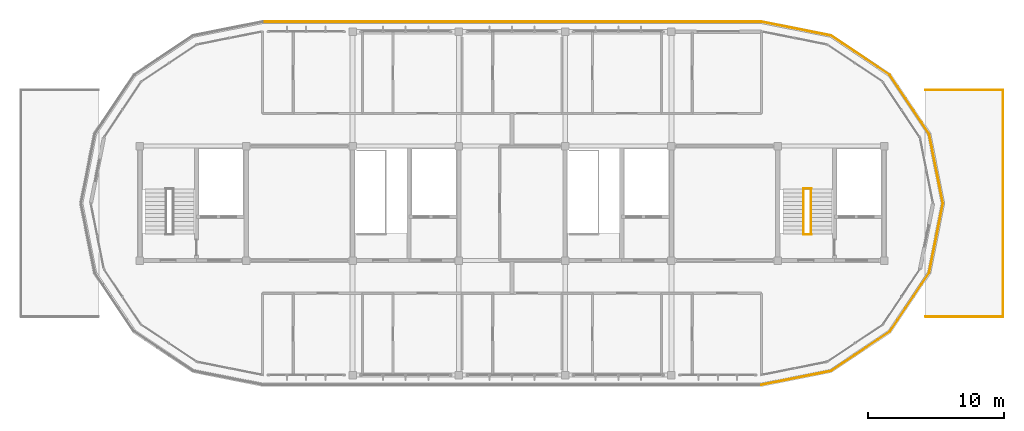
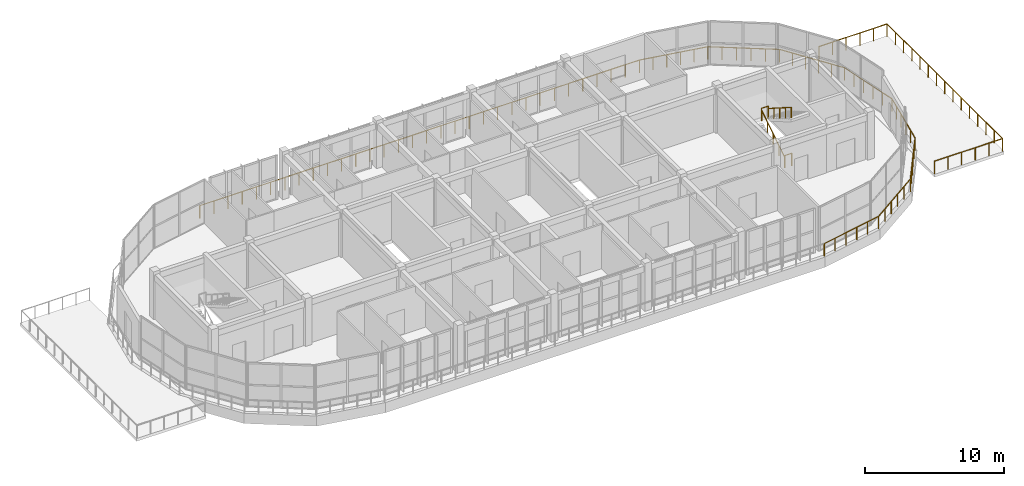
# One storey, part 33 of 33: 16 railings.
"""IFC4 building model written with IfcOpenShell, lengths in metres."""

from ifc_helpers import new_model, si_unit, direction, frame, origin, origin_2d, place, context, subcontext, project, spatial, circle, hollow_circle, extrude, material, material_profile, profile_set, type_object, element, save


model = new_model("IFC4")

# Units and contexts
model_context = context("Model", 3, precision=1e-05, world=origin(), true_north=direction((0.0, 1.0)))
body_context = subcontext(model_context, "Body", "Model", "MODEL_VIEW")
ifc_project = project(units=[si_unit("LENGTHUNIT", "METRE"), si_unit("AREAUNIT", "SQUARE_METRE"), si_unit("VOLUMEUNIT", "CUBIC_METRE"), si_unit("PLANEANGLEUNIT", "RADIAN"), si_unit("MASSUNIT", "GRAM", prefix="KILO")], contexts=[model_context])

# Site, building, storey
site_placement = place(None, origin())
site = spatial("IfcSite", under=ifc_project, at=site_placement, CompositionType="ELEMENT")
building_placement = place(site_placement, origin())
building = spatial("IfcBuilding", under=site, at=building_placement, Name="Zizhar Promenade General Hospital", CompositionType="ELEMENT")
storey_placement = place(building_placement, frame((0.0, 0.0, 39.0)))
storey = spatial("IfcBuildingStorey", under=building, at=storey_placement, Name="L09", CompositionType="ELEMENT", Elevation=39.0)

# Railings
ifc_material_1 = material(Name="Anodised aluminium 6063-T6", Category="aluminium")
ifc_material_profile_1 = material_profile(ifc_material_1, hollow_circle(Radius=0.06982421875, WallThickness=0.00634765625, at=origin_2d()))
ifc_profile_set_1 = profile_set([ifc_material_profile_1], Name="Anodised aluminium 6063-T6")
railing_type_1 = type_object("IfcRailingType", Name="RL-GUARD-TERR-1100", PredefinedType="GUARDRAIL", material=ifc_profile_set_1)
railing_1_placement = place(storey_placement, frame((92.39990234375, -0.719970703125, 0.0)))
element("IfcRailing", 1, at=railing_1_placement, inside=storey, type_object=railing_type_1, Name="Perimeter Safety Guardrail L09-01", PredefinedType="GUARDRAIL", context=body_context, shape_type="SweptSolid", body=[
    extrude(circle(Radius=0.02392578125, at=origin_2d()), frame((0.0, 0.0, 1.09619140625), z_axis=(0.980786101187, 0.195086195614, 0.0), x_axis=(-0.195086195614, 0.980786101187, 0.0)), (0.0, 0.0, 1.0), 5.197265625),
    extrude(circle(Radius=0.02099609375, at=origin_2d()), origin(), (0.0, 0.0, 1.0), 1.072021484375),
    extrude(circle(Radius=0.02099609375, at=origin_2d()), frame((1.01953125, 0.202880859375, 0.0)), (0.0, 0.0, 1.0), 1.072021484375),
    extrude(circle(Radius=0.02099609375, at=origin_2d()), frame((2.0390625, 0.405517578125, 0.0)), (0.0, 0.0, 1.0), 1.072021484375),
    extrude(circle(Radius=0.02099609375, at=origin_2d()), frame((3.058349609375, 0.6083984375, 0.0)), (0.0, 0.0, 1.0), 1.072021484375),
    extrude(circle(Radius=0.02099609375, at=origin_2d()), frame((4.077880859375, 0.81103515625, 0.0)), (0.0, 0.0, 1.0), 1.072021484375),
    extrude(circle(Radius=0.02099609375, at=origin_2d()), frame((5.097412109375, 1.013916015625, 0.0)), (0.0, 0.0, 1.0), 1.072021484375),
])
railing_2_placement = place(storey_placement, frame((97.497314453125, 0.2939453125, 0.0)))
element("IfcRailing", 2, at=railing_2_placement, inside=storey, type_object=railing_type_1, Name="Perimeter Safety Guardrail L09-02", PredefinedType="GUARDRAIL", context=body_context, shape_type="SweptSolid", body=[
    extrude(circle(Radius=0.02392578125, at=origin_2d()), frame((0.0, 0.0, 1.09619140625), z_axis=(0.831464445352, 0.555577965829, 0.0), x_axis=(-0.555577965829, 0.831464445352, 0.0)), (0.0, 0.0, 1.0), 5.197265625),
    extrude(circle(Radius=0.02099609375, at=origin_2d()), origin(), (0.0, 0.0, 1.0), 1.072021484375),
    extrude(circle(Radius=0.02099609375, at=origin_2d()), frame((0.8642578125, 0.577392578125, 0.0)), (0.0, 0.0, 1.0), 1.072021484375),
    extrude(circle(Radius=0.02099609375, at=origin_2d()), frame((1.728515625, 1.155029296875, 0.0)), (0.0, 0.0, 1.0), 1.072021484375),
    extrude(circle(Radius=0.02099609375, at=origin_2d()), frame((2.5927734375, 1.732421875, 0.0)), (0.0, 0.0, 1.0), 1.072021484375),
    extrude(circle(Radius=0.02099609375, at=origin_2d()), frame((3.45703125, 2.31005859375, 0.0)), (0.0, 0.0, 1.0), 1.072021484375),
    extrude(circle(Radius=0.02099609375, at=origin_2d()), frame((4.3212890625, 2.887451171875, 0.0)), (0.0, 0.0, 1.0), 1.072021484375),
])
railing_3_placement = place(storey_placement, frame((101.818603515625, 3.181396484375, 0.0)))
element("IfcRailing", 3, at=railing_3_placement, inside=storey, type_object=railing_type_1, Name="Perimeter Safety Guardrail L09-03", PredefinedType="GUARDRAIL", context=body_context, shape_type="SweptSolid", body=[
    extrude(circle(Radius=0.02392578125, at=origin_2d()), frame((0.0, 0.0, 1.09619140625), z_axis=(0.555577965829, 0.831464445352, 0.0), x_axis=(-0.831464445352, 0.555577965829, 0.0)), (0.0, 0.0, 1.0), 5.197265625),
    extrude(circle(Radius=0.02099609375, at=origin_2d()), origin(), (0.0, 0.0, 1.0), 1.072021484375),
    extrude(circle(Radius=0.02099609375, at=origin_2d()), frame((0.577392578125, 0.8642578125, 0.0)), (0.0, 0.0, 1.0), 1.072021484375),
    extrude(circle(Radius=0.02099609375, at=origin_2d()), frame((1.155029296875, 1.728515625, 0.0)), (0.0, 0.0, 1.0), 1.072021484375),
    extrude(circle(Radius=0.02099609375, at=origin_2d()), frame((1.732421875, 2.5927734375, 0.0)), (0.0, 0.0, 1.0), 1.072021484375),
    extrude(circle(Radius=0.02099609375, at=origin_2d()), frame((2.31005859375, 3.45703125, 0.0)), (0.0, 0.0, 1.0), 1.072021484375),
    extrude(circle(Radius=0.02099609375, at=origin_2d()), frame((2.887451171875, 4.3212890625, 0.0)), (0.0, 0.0, 1.0), 1.072021484375),
])
railing_4_placement = place(storey_placement, frame((104.7060546875, 7.502685546875, 0.0)))
element("IfcRailing", 4, at=railing_4_placement, inside=storey, type_object=railing_type_1, Name="Perimeter Safety Guardrail L09-04", PredefinedType="GUARDRAIL", context=body_context, shape_type="SweptSolid", body=[
    extrude(circle(Radius=0.02392578125, at=origin_2d()), frame((0.0, 0.0, 1.09619140625), z_axis=(0.195086195614, 0.980786101187, 0.0), x_axis=(-0.980786101187, 0.195086195614, 0.0)), (0.0, 0.0, 1.0), 5.197265625),
    extrude(circle(Radius=0.02099609375, at=origin_2d()), origin(), (0.0, 0.0, 1.0), 1.072021484375),
    extrude(circle(Radius=0.02099609375, at=origin_2d()), frame((0.202880859375, 1.01953125, 0.0)), (0.0, 0.0, 1.0), 1.072021484375),
    extrude(circle(Radius=0.02099609375, at=origin_2d()), frame((0.405517578125, 2.0390625, 0.0)), (0.0, 0.0, 1.0), 1.072021484375),
    extrude(circle(Radius=0.02099609375, at=origin_2d()), frame((0.6083984375, 3.058349609375, 0.0)), (0.0, 0.0, 1.0), 1.072021484375),
    extrude(circle(Radius=0.02099609375, at=origin_2d()), frame((0.81103515625, 4.077880859375, 0.0)), (0.0, 0.0, 1.0), 1.072021484375),
    extrude(circle(Radius=0.02099609375, at=origin_2d()), frame((1.013916015625, 5.097412109375, 0.0)), (0.0, 0.0, 1.0), 1.072021484375),
])
railing_5_placement = place(storey_placement, frame((105.719970703125, 12.60009765625, 0.0)))
element("IfcRailing", 5, at=railing_5_placement, inside=storey, type_object=railing_type_1, Name="Perimeter Safety Guardrail L09-05", PredefinedType="GUARDRAIL", context=body_context, shape_type="SweptSolid", body=[
    extrude(circle(Radius=0.02392578125, at=origin_2d()), frame((0.0, 0.0, 1.09619140625), z_axis=(-0.195095184069, 0.980784313268, 0.0), x_axis=(-0.980784313268, -0.195095184069, 0.0)), (0.0, 0.0, 1.0), 5.197021484375),
    extrude(circle(Radius=0.02099609375, at=origin_2d()), origin(), (0.0, 0.0, 1.0), 1.072021484375),
    extrude(circle(Radius=0.02099609375, at=origin_2d()), frame((-0.202880859375, 1.01953125, 0.0)), (0.0, 0.0, 1.0), 1.072021484375),
    extrude(circle(Radius=0.02099609375, at=origin_2d()), frame((-0.405517578125, 2.038818359375, 0.0)), (0.0, 0.0, 1.0), 1.072021484375),
    extrude(circle(Radius=0.02099609375, at=origin_2d()), frame((-0.6083984375, 3.058349609375, 0.0)), (0.0, 0.0, 1.0), 1.072021484375),
    extrude(circle(Radius=0.02099609375, at=origin_2d()), frame((-0.81103515625, 4.07763671875, 0.0)), (0.0, 0.0, 1.0), 1.072021484375),
    extrude(circle(Radius=0.02099609375, at=origin_2d()), frame((-1.013916015625, 5.09716796875, 0.0)), (0.0, 0.0, 1.0), 1.072021484375),
])
railing_6_placement = place(storey_placement, frame((104.7060546875, 17.697265625, 0.0)))
element("IfcRailing", 6, at=railing_6_placement, inside=storey, type_object=railing_type_1, Name="Perimeter Safety Guardrail L09-06", PredefinedType="GUARDRAIL", context=body_context, shape_type="SweptSolid", body=[
    extrude(circle(Radius=0.02392578125, at=origin_2d()), frame((0.0, 0.0, 1.09619140625), z_axis=(-0.555556266519, 0.83147894425, 0.0), x_axis=(-0.83147894425, -0.555556266519, 0.0)), (0.0, 0.0, 1.0), 5.197509765625),
    extrude(circle(Radius=0.02099609375, at=origin_2d()), origin(), (0.0, 0.0, 1.0), 1.072021484375),
    extrude(circle(Radius=0.02099609375, at=origin_2d()), frame((-0.577392578125, 0.8642578125, 0.0)), (0.0, 0.0, 1.0), 1.072021484375),
    extrude(circle(Radius=0.02099609375, at=origin_2d()), frame((-1.155029296875, 1.728515625, 0.0)), (0.0, 0.0, 1.0), 1.072021484375),
    extrude(circle(Radius=0.02099609375, at=origin_2d()), frame((-1.732421875, 2.593017578125, 0.0)), (0.0, 0.0, 1.0), 1.072021484375),
    extrude(circle(Radius=0.02099609375, at=origin_2d()), frame((-2.31005859375, 3.457275390625, 0.0)), (0.0, 0.0, 1.0), 1.072021484375),
    extrude(circle(Radius=0.02099609375, at=origin_2d()), frame((-2.887451171875, 4.321533203125, 0.0)), (0.0, 0.0, 1.0), 1.072021484375),
])
railing_7_placement = place(storey_placement, frame((101.818603515625, 22.018798828125, 0.0)))
element("IfcRailing", 7, at=railing_7_placement, inside=storey, type_object=railing_type_1, Name="Perimeter Safety Guardrail L09-07", PredefinedType="GUARDRAIL", context=body_context, shape_type="SweptSolid", body=[
    extrude(circle(Radius=0.02392578125, at=origin_2d()), frame((0.0, 0.0, 1.09619140625), z_axis=(-0.831486145253, 0.555545488913, 0.0), x_axis=(-0.555545488913, -0.831486145253, 0.0)), (0.0, 0.0, 1.0), 5.197021484375),
    extrude(circle(Radius=0.02099609375, at=origin_2d()), origin(), (0.0, 0.0, 1.0), 1.072021484375),
    extrude(circle(Radius=0.02099609375, at=origin_2d()), frame((-0.8642578125, 0.577392578125, 0.0)), (0.0, 0.0, 1.0), 1.072021484375),
    extrude(circle(Radius=0.02099609375, at=origin_2d()), frame((-1.728515625, 1.15478515625, 0.0)), (0.0, 0.0, 1.0), 1.072021484375),
    extrude(circle(Radius=0.02099609375, at=origin_2d()), frame((-2.5927734375, 1.732421875, 0.0)), (0.0, 0.0, 1.0), 1.072021484375),
    extrude(circle(Radius=0.02099609375, at=origin_2d()), frame((-3.45703125, 2.309814453125, 0.0)), (0.0, 0.0, 1.0), 1.072021484375),
    extrude(circle(Radius=0.02099609375, at=origin_2d()), frame((-4.3212890625, 2.88720703125, 0.0)), (0.0, 0.0, 1.0), 1.072021484375),
])
railing_8_placement = place(storey_placement, frame((97.497314453125, 24.906005859375, 0.0)))
element("IfcRailing", 8, at=railing_8_placement, inside=storey, type_object=railing_type_1, Name="Perimeter Safety Guardrail L09-08", PredefinedType="GUARDRAIL", context=body_context, shape_type="SweptSolid", body=[
    extrude(circle(Radius=0.02392578125, at=origin_2d()), frame((0.0, 0.0, 1.09619140625), z_axis=(-0.980786101187, 0.195086195614, 0.0), x_axis=(-0.195086195614, -0.980786101187, 0.0)), (0.0, 0.0, 1.0), 5.197265625),
    extrude(circle(Radius=0.02099609375, at=origin_2d()), origin(), (0.0, 0.0, 1.0), 1.072021484375),
    extrude(circle(Radius=0.02099609375, at=origin_2d()), frame((-1.01953125, 0.202880859375, 0.0)), (0.0, 0.0, 1.0), 1.072021484375),
    extrude(circle(Radius=0.02099609375, at=origin_2d()), frame((-2.0390625, 0.405517578125, 0.0)), (0.0, 0.0, 1.0), 1.072021484375),
    extrude(circle(Radius=0.02099609375, at=origin_2d()), frame((-3.058349609375, 0.6083984375, 0.0)), (0.0, 0.0, 1.0), 1.072021484375),
    extrude(circle(Radius=0.02099609375, at=origin_2d()), frame((-4.077880859375, 0.81103515625, 0.0)), (0.0, 0.0, 1.0), 1.072021484375),
    extrude(circle(Radius=0.02099609375, at=origin_2d()), frame((-5.097412109375, 1.013916015625, 0.0)), (0.0, 0.0, 1.0), 1.072021484375),
])
railing_9_placement = place(storey_placement, frame((92.39990234375, 25.919921875, 0.0)))
element("IfcRailing", 9, at=railing_9_placement, inside=storey, type_object=railing_type_1, Name="Perimeter Safety Guardrail L09-09", PredefinedType="GUARDRAIL", context=body_context, shape_type="SweptSolid", body=[
    extrude(circle(Radius=0.02392578125, at=origin_2d()), frame((0.0, 0.0, 1.09619140625), z_axis=(-1.0, 0.0, 0.0), x_axis=(0.0, -1.0, 0.0)), (0.0, 0.0, 1.0), 36.599853515625),
    extrude(circle(Radius=0.02099609375, at=origin_2d()), origin(), (0.0, 0.0, 1.0), 1.072021484375),
    extrude(circle(Radius=0.02099609375, at=origin_2d()), frame((-1.1806640625, 0.0, 0.0)), (0.0, 0.0, 1.0), 1.072021484375),
    extrude(circle(Radius=0.02099609375, at=origin_2d()), frame((-2.361328125, 0.0, 0.0)), (0.0, 0.0, 1.0), 1.072021484375),
    extrude(circle(Radius=0.02099609375, at=origin_2d()), frame((-3.5419921875, 0.0, 0.0)), (0.0, 0.0, 1.0), 1.072021484375),
    extrude(circle(Radius=0.02099609375, at=origin_2d()), frame((-4.72265625, 0.0, 0.0)), (0.0, 0.0, 1.0), 1.072021484375),
    extrude(circle(Radius=0.02099609375, at=origin_2d()), frame((-5.9033203125, 0.0, 0.0)), (0.0, 0.0, 1.0), 1.072021484375),
    extrude(circle(Radius=0.02099609375, at=origin_2d()), frame((-7.083740234375, 0.0, 0.0)), (0.0, 0.0, 1.0), 1.072021484375),
    extrude(circle(Radius=0.02099609375, at=origin_2d()), frame((-8.264404296875, 0.0, 0.0)), (0.0, 0.0, 1.0), 1.072021484375),
    extrude(circle(Radius=0.02099609375, at=origin_2d()), frame((-9.445068359375, 0.0, 0.0)), (0.0, 0.0, 1.0), 1.072021484375),
    extrude(circle(Radius=0.02099609375, at=origin_2d()), frame((-10.625732421875, 0.0, 0.0)), (0.0, 0.0, 1.0), 1.072021484375),
    extrude(circle(Radius=0.02099609375, at=origin_2d()), frame((-11.806396484375, 0.0, 0.0)), (0.0, 0.0, 1.0), 1.072021484375),
    extrude(circle(Radius=0.02099609375, at=origin_2d()), frame((-12.987060546875, 0.0, 0.0)), (0.0, 0.0, 1.0), 1.072021484375),
    extrude(circle(Radius=0.02099609375, at=origin_2d()), frame((-14.167724609375, 0.0, 0.0)), (0.0, 0.0, 1.0), 1.072021484375),
    extrude(circle(Radius=0.02099609375, at=origin_2d()), frame((-15.348388671875, 0.0, 0.0)), (0.0, 0.0, 1.0), 1.072021484375),
    extrude(circle(Radius=0.02099609375, at=origin_2d()), frame((-16.529052734375, 0.0, 0.0)), (0.0, 0.0, 1.0), 1.072021484375),
    extrude(circle(Radius=0.02099609375, at=origin_2d()), frame((-17.709716796875, 0.0, 0.0)), (0.0, 0.0, 1.0), 1.072021484375),
    extrude(circle(Radius=0.02099609375, at=origin_2d()), frame((-18.89013671875, 0.0, 0.0)), (0.0, 0.0, 1.0), 1.072021484375),
    extrude(circle(Radius=0.02099609375, at=origin_2d()), frame((-20.07080078125, 0.0, 0.0)), (0.0, 0.0, 1.0), 1.072021484375),
    extrude(circle(Radius=0.02099609375, at=origin_2d()), frame((-21.25146484375, 0.0, 0.0)), (0.0, 0.0, 1.0), 1.072021484375),
    extrude(circle(Radius=0.02099609375, at=origin_2d()), frame((-22.43212890625, 0.0, 0.0)), (0.0, 0.0, 1.0), 1.072021484375),
    extrude(circle(Radius=0.02099609375, at=origin_2d()), frame((-23.61279296875, 0.0, 0.0)), (0.0, 0.0, 1.0), 1.072021484375),
    extrude(circle(Radius=0.02099609375, at=origin_2d()), frame((-24.79345703125, 0.0, 0.0)), (0.0, 0.0, 1.0), 1.072021484375),
    extrude(circle(Radius=0.02099609375, at=origin_2d()), frame((-25.97412109375, 0.0, 0.0)), (0.0, 0.0, 1.0), 1.072021484375),
    extrude(circle(Radius=0.02099609375, at=origin_2d()), frame((-27.15478515625, 0.0, 0.0)), (0.0, 0.0, 1.0), 1.072021484375),
    extrude(circle(Radius=0.02099609375, at=origin_2d()), frame((-28.33544921875, 0.0, 0.0)), (0.0, 0.0, 1.0), 1.072021484375),
    extrude(circle(Radius=0.02099609375, at=origin_2d()), frame((-29.51611328125, 0.0, 0.0)), (0.0, 0.0, 1.0), 1.072021484375),
    extrude(circle(Radius=0.02099609375, at=origin_2d()), frame((-30.696533203125, 0.0, 0.0)), (0.0, 0.0, 1.0), 1.072021484375),
    extrude(circle(Radius=0.02099609375, at=origin_2d()), frame((-31.877197265625, 0.0, 0.0)), (0.0, 0.0, 1.0), 1.072021484375),
    extrude(circle(Radius=0.02099609375, at=origin_2d()), frame((-33.057861328125, 0.0, 0.0)), (0.0, 0.0, 1.0), 1.072021484375),
    extrude(circle(Radius=0.02099609375, at=origin_2d()), frame((-34.238525390625, 0.0, 0.0)), (0.0, 0.0, 1.0), 1.072021484375),
    extrude(circle(Radius=0.02099609375, at=origin_2d()), frame((-35.419189453125, 0.0, 0.0)), (0.0, 0.0, 1.0), 1.072021484375),
    extrude(circle(Radius=0.02099609375, at=origin_2d()), frame((-36.599853515625, 0.0, 0.0)), (0.0, 0.0, 1.0), 1.072021484375),
])
railing_10_placement = place(storey_placement, frame((104.449951171875, 4.280029296875, 0.0)))
element("IfcRailing", 10, at=railing_10_placement, inside=storey, type_object=railing_type_1, Name="Perimeter Safety Guardrail L09-01", PredefinedType="GUARDRAIL", context=body_context, shape_type="SweptSolid", body=[
    extrude(circle(Radius=0.02392578125, at=origin_2d()), frame((0.0, 0.0, 1.09619140625), z_axis=(1.0, 0.0, 0.0), x_axis=(0.0, 1.0, 0.0)), (0.0, 0.0, 1.0), 5.670166015625),
    extrude(circle(Radius=0.02099609375, at=origin_2d()), origin(), (0.0, 0.0, 1.0), 1.072021484375),
    extrude(circle(Radius=0.02099609375, at=origin_2d()), frame((1.134033203125, 0.0, 0.0)), (0.0, 0.0, 1.0), 1.072021484375),
    extrude(circle(Radius=0.02099609375, at=origin_2d()), frame((2.26806640625, 0.0, 0.0)), (0.0, 0.0, 1.0), 1.072021484375),
    extrude(circle(Radius=0.02099609375, at=origin_2d()), frame((3.402099609375, 0.0, 0.0)), (0.0, 0.0, 1.0), 1.072021484375),
    extrude(circle(Radius=0.02099609375, at=origin_2d()), frame((4.5361328125, 0.0, 0.0)), (0.0, 0.0, 1.0), 1.072021484375),
    extrude(circle(Radius=0.02099609375, at=origin_2d()), frame((5.670166015625, 0.0, 0.0)), (0.0, 0.0, 1.0), 1.072021484375),
])
railing_11_placement = place(storey_placement, frame((110.1201171875, 4.280029296875, 0.0)))
element("IfcRailing", 11, at=railing_11_placement, inside=storey, type_object=railing_type_1, Name="Perimeter Safety Guardrail L09-02", PredefinedType="GUARDRAIL", context=body_context, shape_type="SweptSolid", body=[
    extrude(circle(Radius=0.02392578125, at=origin_2d()), frame((0.0, 0.0, 1.09619140625), z_axis=(0.0, 1.0, 0.0), x_axis=(-1.0, 0.0, 0.0)), (0.0, 0.0, 1.0), 16.639892578125),
    extrude(circle(Radius=0.02099609375, at=origin_2d()), origin(), (0.0, 0.0, 1.0), 1.072021484375),
    extrude(circle(Radius=0.02099609375, at=origin_2d()), frame((0.0, 1.1884765625, 0.0)), (0.0, 0.0, 1.0), 1.072021484375),
    extrude(circle(Radius=0.02099609375, at=origin_2d()), frame((0.0, 2.377197265625, 0.0)), (0.0, 0.0, 1.0), 1.072021484375),
    extrude(circle(Radius=0.02099609375, at=origin_2d()), frame((0.0, 3.565673828125, 0.0)), (0.0, 0.0, 1.0), 1.072021484375),
    extrude(circle(Radius=0.02099609375, at=origin_2d()), frame((0.0, 4.754150390625, 0.0)), (0.0, 0.0, 1.0), 1.072021484375),
    extrude(circle(Radius=0.02099609375, at=origin_2d()), frame((0.0, 5.94287109375, 0.0)), (0.0, 0.0, 1.0), 1.072021484375),
    extrude(circle(Radius=0.02099609375, at=origin_2d()), frame((0.0, 7.13134765625, 0.0)), (0.0, 0.0, 1.0), 1.072021484375),
    extrude(circle(Radius=0.02099609375, at=origin_2d()), frame((0.0, 8.31982421875, 0.0)), (0.0, 0.0, 1.0), 1.072021484375),
    extrude(circle(Radius=0.02099609375, at=origin_2d()), frame((0.0, 9.508544921875, 0.0)), (0.0, 0.0, 1.0), 1.072021484375),
    extrude(circle(Radius=0.02099609375, at=origin_2d()), frame((0.0, 10.697021484375, 0.0)), (0.0, 0.0, 1.0), 1.072021484375),
    extrude(circle(Radius=0.02099609375, at=origin_2d()), frame((0.0, 11.8857421875, 0.0)), (0.0, 0.0, 1.0), 1.072021484375),
    extrude(circle(Radius=0.02099609375, at=origin_2d()), frame((0.0, 13.07421875, 0.0)), (0.0, 0.0, 1.0), 1.072021484375),
    extrude(circle(Radius=0.02099609375, at=origin_2d()), frame((0.0, 14.2626953125, 0.0)), (0.0, 0.0, 1.0), 1.072021484375),
    extrude(circle(Radius=0.02099609375, at=origin_2d()), frame((0.0, 15.451416015625, 0.0)), (0.0, 0.0, 1.0), 1.072021484375),
    extrude(circle(Radius=0.02099609375, at=origin_2d()), frame((0.0, 16.639892578125, 0.0)), (0.0, 0.0, 1.0), 1.072021484375),
])
railing_12_placement = place(storey_placement, frame((110.1201171875, 20.919921875, 0.0)))
element("IfcRailing", 12, at=railing_12_placement, inside=storey, type_object=railing_type_1, Name="Perimeter Safety Guardrail L09-03", PredefinedType="GUARDRAIL", context=body_context, shape_type="SweptSolid", body=[
    extrude(circle(Radius=0.02392578125, at=origin_2d()), frame((0.0, 0.0, 1.09619140625), z_axis=(-1.0, 0.0, 0.0), x_axis=(0.0, -1.0, 0.0)), (0.0, 0.0, 1.0), 5.670166015625),
    extrude(circle(Radius=0.02099609375, at=origin_2d()), origin(), (0.0, 0.0, 1.0), 1.072021484375),
    extrude(circle(Radius=0.02099609375, at=origin_2d()), frame((-1.134033203125, 0.0, 0.0)), (0.0, 0.0, 1.0), 1.072021484375),
    extrude(circle(Radius=0.02099609375, at=origin_2d()), frame((-2.26806640625, 0.0, 0.0)), (0.0, 0.0, 1.0), 1.072021484375),
    extrude(circle(Radius=0.02099609375, at=origin_2d()), frame((-3.402099609375, 0.0, 0.0)), (0.0, 0.0, 1.0), 1.072021484375),
    extrude(circle(Radius=0.02099609375, at=origin_2d()), frame((-4.5361328125, 0.0, 0.0)), (0.0, 0.0, 1.0), 1.072021484375),
    extrude(circle(Radius=0.02099609375, at=origin_2d()), frame((-5.670166015625, 0.0, 0.0)), (0.0, 0.0, 1.0), 1.072021484375),
])
ifc_material_2 = material(Name="Anodised aluminium 6063-T6", Category="aluminium")
ifc_material_profile_2 = material_profile(ifc_material_2, hollow_circle(Radius=0.06982421875, WallThickness=0.00634765625, at=origin_2d()))
ifc_profile_set_2 = profile_set([ifc_material_profile_2], Name="Anodised aluminium 6063-T6")
railing_type_2 = type_object("IfcRailingType", Name="RL-HANDRAIL-920", PredefinedType="HANDRAIL", material=ifc_profile_set_2)
railing_13_placement = place(storey_placement, frame((95.5, 10.35009765625, 0.0)))
element("IfcRailing", 13, at=railing_13_placement, inside=storey, type_object=railing_type_2, Name="Stair ST-05 Flight 1 Handrail (L09)", PredefinedType="HANDRAIL", context=body_context, shape_type="SweptSolid", body=[
    extrude(circle(Radius=0.02392578125, at=origin_2d()), frame((0.0, 0.0, 0.89599609375), z_axis=(0.0, 0.843635785416, 0.536915879413), x_axis=(-1.0, 0.0, 0.0)), (0.0, 0.0, 1.0), 3.911376953125),
    extrude(circle(Radius=0.02099609375, at=origin_2d()), origin(), (0.0, 0.0, 1.0), 0.871826171875),
    extrude(circle(Radius=0.02099609375, at=origin_2d()), frame((0.0, 0.824951171875, 0.52490234375)), (0.0, 0.0, 1.0), 0.871826171875),
    extrude(circle(Radius=0.02099609375, at=origin_2d()), frame((0.0, 1.64990234375, 1.050048828125)), (0.0, 0.0, 1.0), 0.871826171875),
    extrude(circle(Radius=0.02099609375, at=origin_2d()), frame((0.0, 2.474853515625, 1.5751953125)), (0.0, 0.0, 1.0), 0.871826171875),
    extrude(circle(Radius=0.02099609375, at=origin_2d()), frame((0.0, 3.2998046875, 2.10009765625)), (0.0, 0.0, 1.0), 0.871826171875),
])
railing_14_placement = place(storey_placement, frame((96.0400390625, 13.64990234375, 2.10009765625)))
element("IfcRailing", 14, at=railing_14_placement, inside=storey, type_object=railing_type_2, Name="Stair ST-05 Flight 2 Handrail (L09)", PredefinedType="HANDRAIL", context=body_context, shape_type="SweptSolid", body=[
    extrude(circle(Radius=0.02392578125, at=origin_2d()), frame((0.0, 0.0, 0.89599609375), z_axis=(0.0, -0.843664057944, 0.536871453268), x_axis=(1.0, 0.0, 0.0)), (0.0, 0.0, 1.0), 3.911376953125),
    extrude(circle(Radius=0.02099609375, at=origin_2d()), origin(), (0.0, 0.0, 1.0), 0.871826171875),
    extrude(circle(Radius=0.02099609375, at=origin_2d()), frame((0.0, -0.824951171875, 0.52490234375)), (0.0, 0.0, 1.0), 0.871826171875),
    extrude(circle(Radius=0.02099609375, at=origin_2d()), frame((0.0, -1.64990234375, 1.0498046875)), (0.0, 0.0, 1.0), 0.871826171875),
    extrude(circle(Radius=0.02099609375, at=origin_2d()), frame((0.0, -2.474853515625, 1.574951171875)), (0.0, 0.0, 1.0), 0.871826171875),
    extrude(circle(Radius=0.02099609375, at=origin_2d()), frame((0.0, -3.2998046875, 2.099853515625)), (0.0, 0.0, 1.0), 0.871826171875),
])
ifc_material_3 = material(Name="Steel S355", Category="steel")
ifc_material_profile_3 = material_profile(ifc_material_3, hollow_circle(Radius=0.06982421875, WallThickness=0.00634765625, at=origin_2d()))
ifc_profile_set_3 = profile_set([ifc_material_profile_3], Name="Steel S355")
railing_type_3 = type_object("IfcRailingType", Name="RL-STAIR-GUARD-1100", PredefinedType="GUARDRAIL", material=ifc_profile_set_3)
for number, where, name in (
    (15, (95.47998046875, 13.68994140625, 2.10009765625), "Stair ST-05 Half-Landing Guard (L09)"),
    (16, (95.47998046875, 10.31005859375, 0.0), "Stair ST-05 Landing Well Guard (L09)"),
):
    element("IfcRailing", number, at=place(storey_placement, frame(where)), inside=storey, type_object=railing_type_3, Name=name, PredefinedType="GUARDRAIL", context=body_context, shape_type="SweptSolid", body=[
        extrude(circle(Radius=0.02392578125, at=origin_2d()), frame((0.0, 0.0, 1.076171875), z_axis=(1.0, 0.0, 0.0), x_axis=(0.0, 1.0, 0.0)), (0.0, 0.0, 1.0), 0.580078125),
        extrude(circle(Radius=0.02099609375, at=origin_2d()), origin(), (0.0, 0.0, 1.0), 1.052001953125),
        extrude(circle(Radius=0.02099609375, at=origin_2d()), frame((0.580078125, 0.0, 0.0)), (0.0, 0.0, 1.0), 1.052001953125),
    ])

save(model, "model.ifc")
